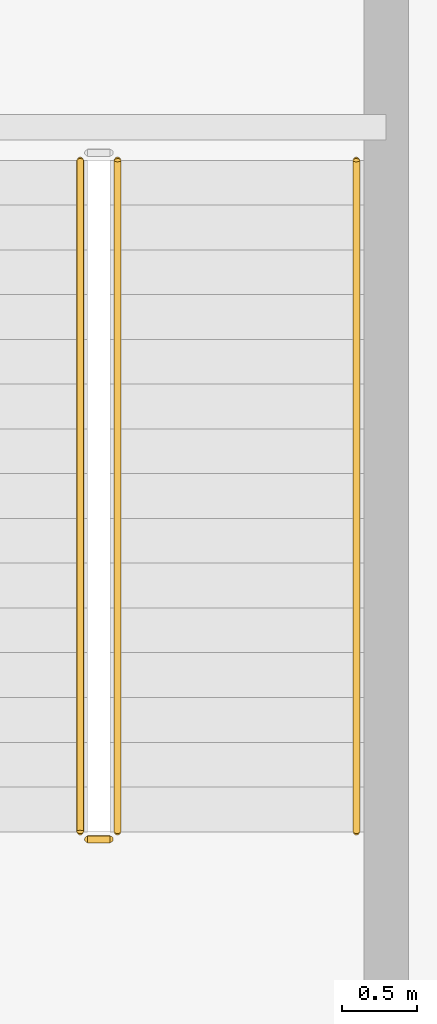
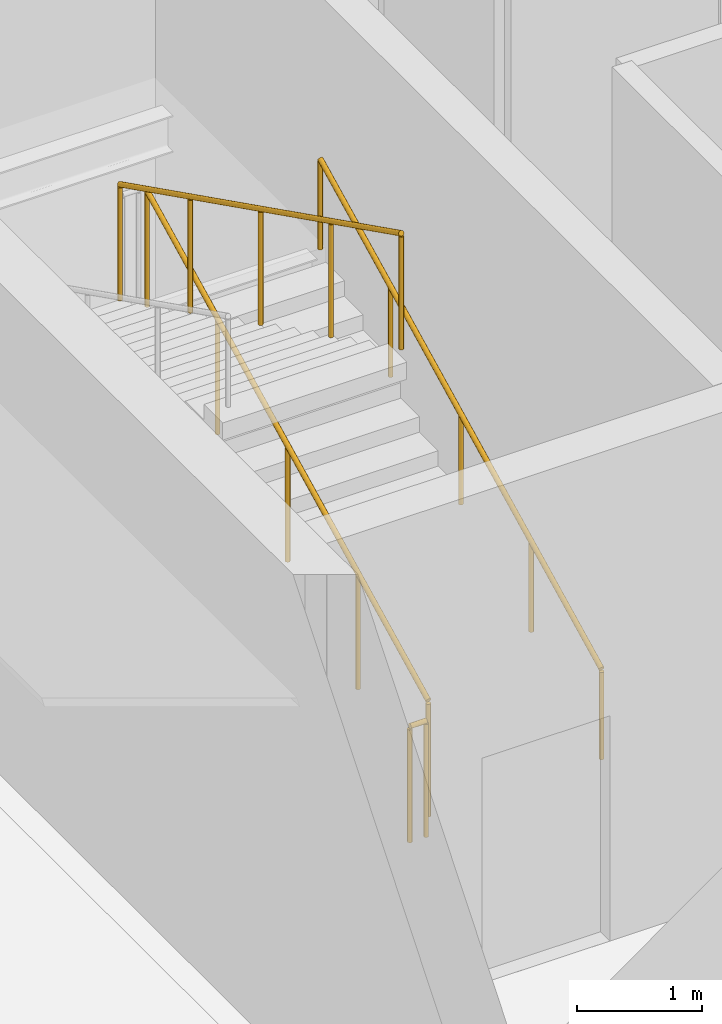
# One storey, part 40 of 44: 4 railings.
"""IFC4 building model written with IfcOpenShell, lengths in metres."""

from ifc_helpers import new_model, si_unit, direction, frame, origin, origin_2d, place, context, subcontext, project, spatial, circle, extrude, material, type_object, element, save


model = new_model("IFC4")

# Units and contexts
model_context = context("Model", 3, precision=1e-05, world=origin(), true_north=direction((0.0, 1.0)))
body_context = subcontext(model_context, "Body", "Model", "MODEL_VIEW")
ifc_project = project(units=[si_unit("LENGTHUNIT", "METRE"), si_unit("AREAUNIT", "SQUARE_METRE"), si_unit("VOLUMEUNIT", "CUBIC_METRE"), si_unit("PLANEANGLEUNIT", "RADIAN"), si_unit("MASSUNIT", "GRAM", prefix="KILO")], contexts=[model_context])

# Site, building, storey
site_placement = place(None, origin())
site = spatial("IfcSite", under=ifc_project, at=site_placement, CompositionType="ELEMENT")
building_placement = place(site_placement, origin())
building = spatial("IfcBuilding", under=site, at=building_placement, Name="Punatoya Terracotta Tower", CompositionType="ELEMENT")
storey_placement = place(building_placement, frame((0.0, 0.0, 334.199951171875)))
storey = spatial("IfcBuildingStorey", under=building, at=storey_placement, Name="L79", CompositionType="ELEMENT", Elevation=334.199951171875)

# Railings
ifc_material = material(Name="Steel S355", Category="steel")
railing_type_1 = type_object("IfcRailingType", Name="RLG-GRD-1150", PredefinedType="GUARDRAIL", material=ifc_material)
railing_1_placement = place(storey_placement, frame((-7.85009765625, -3.800048828125, 0.150146484375)))
element("IfcRailing", 1, at=railing_1_placement, inside=storey, type_object=railing_type_1, Name="L79 ST-1 stair guard 1", PredefinedType="GUARDRAIL", context=body_context, shape_type="SweptSolid", body=[
    extrude(circle(Radius=0.02392578125, at=origin_2d()), frame((0.0, 0.0, 1.1259765625), z_axis=(0.0, 0.894427191, 0.4472135955), x_axis=(-1.0, 0.0, 0.0)), (0.0, 0.0, 1.0), 5.03125),
    extrude(circle(Radius=0.02099609375, at=origin_2d()), origin(), (0.0, 0.0, 1.0), 1.101806640625),
    extrude(circle(Radius=0.02099609375, at=origin_2d()), frame((0.0, 1.125, 0.5625)), (0.0, 0.0, 1.0), 1.101806640625),
    extrude(circle(Radius=0.02099609375, at=origin_2d()), frame((0.0, 2.25, 1.125)), (0.0, 0.0, 1.0), 1.101806640625),
    extrude(circle(Radius=0.02099609375, at=origin_2d()), frame((0.0, 3.375, 1.6875)), (0.0, 0.0, 1.0), 1.101806640625),
    extrude(circle(Radius=0.02099609375, at=origin_2d()), frame((0.0, 4.5, 2.25)), (0.0, 0.0, 1.0), 1.101806640625),
])
railing_2_placement = place(storey_placement, frame((-8.10009765625, 0.699951171875, 2.550048828125)))
element("IfcRailing", 2, at=railing_2_placement, inside=storey, type_object=railing_type_1, Name="L79 ST-1 stair guard 3", PredefinedType="GUARDRAIL", context=body_context, shape_type="SweptSolid", body=[
    extrude(circle(Radius=0.02392578125, at=origin_2d()), frame((0.0, 0.0, 1.1259765625), z_axis=(0.0, -0.894427191, 0.4472135955), x_axis=(1.0, 0.0, 0.0)), (0.0, 0.0, 1.0), 5.03125),
    extrude(circle(Radius=0.02099609375, at=origin_2d()), origin(), (0.0, 0.0, 1.0), 1.101806640625),
    extrude(circle(Radius=0.02099609375, at=origin_2d()), frame((0.0, -1.125, 0.5625)), (0.0, 0.0, 1.0), 1.101806640625),
    extrude(circle(Radius=0.02099609375, at=origin_2d()), frame((0.0, -2.25, 1.125)), (0.0, 0.0, 1.0), 1.101806640625),
    extrude(circle(Radius=0.02099609375, at=origin_2d()), frame((0.0, -3.375, 1.6875)), (0.0, 0.0, 1.0), 1.101806640625),
    extrude(circle(Radius=0.02099609375, at=origin_2d()), frame((0.0, -4.5, 2.25)), (0.0, 0.0, 1.0), 1.101806640625),
])
railing_3_placement = place(storey_placement, frame((-7.89990234375, -3.85009765625, 0.0)))
element("IfcRailing", 3, at=railing_3_placement, inside=storey, type_object=railing_type_1, Name="L79 ST-1 stair guard 4", PredefinedType="GUARDRAIL", context=body_context, shape_type="SweptSolid", body=[
    extrude(circle(Radius=0.02392578125, at=origin_2d()), frame((0.0, 0.0, 1.1259765625), z_axis=(-1.0, 0.0, 0.0), x_axis=(0.0, -1.0, 0.0)), (0.0, 0.0, 1.0), 0.150146484375),
    extrude(circle(Radius=0.02099609375, at=origin_2d()), origin(), (0.0, 0.0, 1.0), 1.101806640625),
    extrude(circle(Radius=0.02099609375, at=origin_2d()), frame((-0.150146484375, 0.0, 0.0)), (0.0, 0.0, 1.0), 1.101806640625),
])
railing_type_2 = type_object("IfcRailingType", Name="RLG-HND-900", PredefinedType="HANDRAIL", material=ifc_material)
railing_4_placement = place(storey_placement, frame((-6.25, -3.800048828125, 0.150146484375)))
element("IfcRailing", 4, at=railing_4_placement, inside=storey, type_object=railing_type_2, Name="L79 ST-1 stair handrail 1", PredefinedType="HANDRAIL", context=body_context, shape_type="SweptSolid", body=[
    extrude(circle(Radius=0.02392578125, at=origin_2d()), frame((0.0, 0.0, 0.8759765625), z_axis=(0.0, 0.894427191, 0.4472135955), x_axis=(-1.0, 0.0, 0.0)), (0.0, 0.0, 1.0), 5.03125),
    extrude(circle(Radius=0.02099609375, at=origin_2d()), origin(), (0.0, 0.0, 1.0), 0.851806640625),
    extrude(circle(Radius=0.02099609375, at=origin_2d()), frame((0.0, 1.125, 0.5625)), (0.0, 0.0, 1.0), 0.851806640625),
    extrude(circle(Radius=0.02099609375, at=origin_2d()), frame((0.0, 2.25, 1.125)), (0.0, 0.0, 1.0), 0.851806640625),
    extrude(circle(Radius=0.02099609375, at=origin_2d()), frame((0.0, 3.375, 1.6875)), (0.0, 0.0, 1.0), 0.851806640625),
    extrude(circle(Radius=0.02099609375, at=origin_2d()), frame((0.0, 4.5, 2.25)), (0.0, 0.0, 1.0), 0.851806640625),
])

save(model, "model.ifc")
